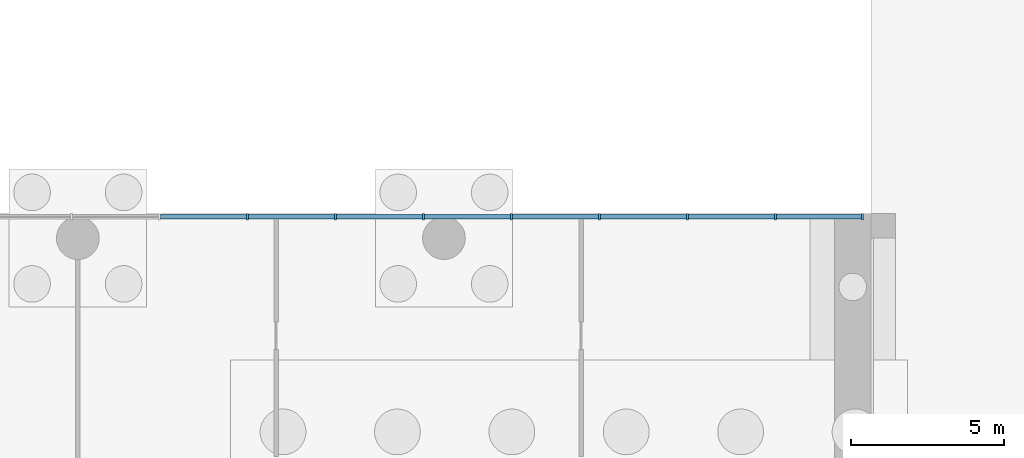
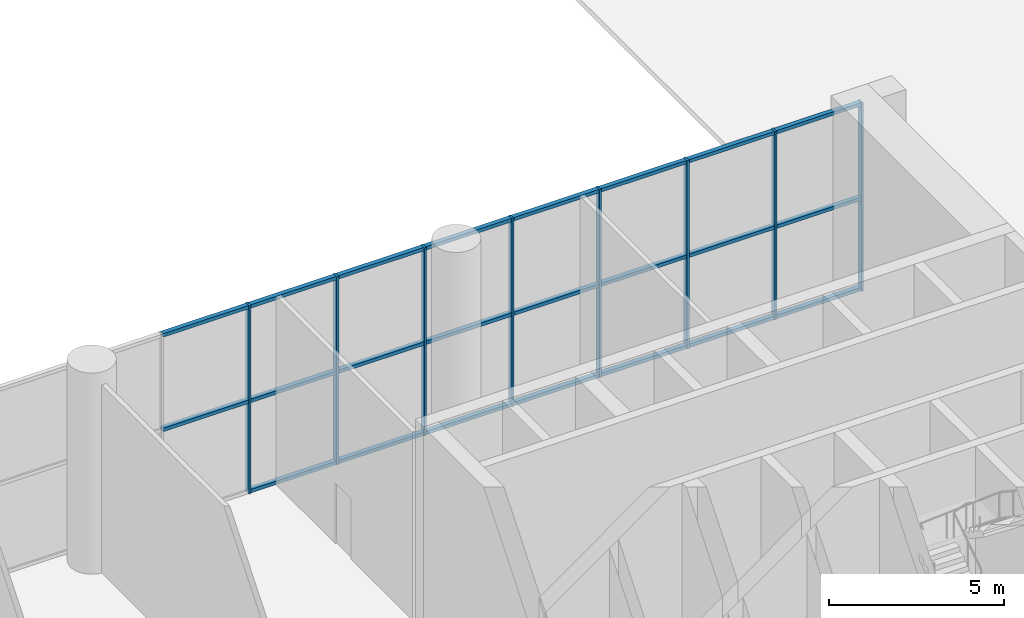
# One storey, part 8 of 26: 31 members, 1 element without a shape of its own.
"""IFC4 building model written with IfcOpenShell, lengths in metres."""

from ifc_helpers import new_model, si_unit, direction, frame, origin, origin_2d, place, context, subcontext, project, spatial, rectangle, extrude, material, layer, layer_set, material_profile, profile_set, type_object, element, aggregate, save


model = new_model("IFC4")

# Units and contexts
model_context = context("Model", 3, precision=1e-05, world=origin(), true_north=direction((0.0, 1.0)))
body_context = subcontext(model_context, "Body", "Model", "MODEL_VIEW")
ifc_project = project(units=[si_unit("LENGTHUNIT", "METRE"), si_unit("AREAUNIT", "SQUARE_METRE"), si_unit("VOLUMEUNIT", "CUBIC_METRE"), si_unit("PLANEANGLEUNIT", "RADIAN"), si_unit("MASSUNIT", "GRAM", prefix="KILO")], contexts=[model_context])

# Site, building, storey
site_placement = place(None, origin())
site = spatial("IfcSite", under=ifc_project, at=site_placement, CompositionType="ELEMENT")
building_placement = place(site_placement, origin())
building = spatial("IfcBuilding", under=site, at=building_placement, Name="Torana Hotel and Residences", CompositionType="ELEMENT")
storey_placement = place(building_placement, origin())
storey = spatial("IfcBuildingStorey", under=building, at=storey_placement, Name="L00", CompositionType="ELEMENT", Elevation=0.0)

# Curtain wall, members
ifc_material_1 = material(Name="Dark anodised aluminium", Category="aluminium")
ifc_layer = layer(ifc_material_1, 0.199951171875)
ifc_layer_set = layer_set([ifc_layer], Name="CW1 PODIUM SHOPFRONT CURTAIN WALL")
curtain_wall_type = type_object("IfcCurtainWallType", Name="CW1 PODIUM SHOPFRONT CURTAIN WALL", PredefinedType="NOTDEFINED", material=ifc_layer_set)
curtain_wall_placement = place(storey_placement, origin())
curtain_wall = element("IfcCurtainWall", 1, at=curtain_wall_placement, inside=storey, type_object=curtain_wall_type, Name="Curtain wall CW1 L00 e0.2-1", PredefinedType="NOTDEFINED")
ifc_material_2 = material(Name="Dark anodised aluminium", Category="aluminium")
ifc_material_profile_1 = material_profile(ifc_material_2, rectangle(XDim=0.199951171875, YDim=0.070068359375, at=origin_2d()), Name="CW1 MULLION 70x200")
ifc_profile_set_1 = profile_set([ifc_material_profile_1], Name="Dark anodised aluminium")
member_type_1 = type_object("IfcMemberType", Name="CW1 MULLION 70x200", PredefinedType="MULLION", material=ifc_profile_set_1)
member_1_placement = place(storey_placement, frame((-10.284912109375, 7.89990234375, 0.0), z_axis=(0.0, 0.0, 1.0), x_axis=(0.0, -1.0, 0.0)))
member_1 = element("IfcMember", 2, at=member_1_placement, type_object=member_type_1, Name="CW1 mullion 1", PredefinedType="MULLION", context=body_context, shape_type="SweptSolid", body=[
    extrude(rectangle(XDim=0.199951171875, YDim=0.070068359375, at=origin_2d()), origin(), (0.0, 0.0, 1.0), 6.550048828125),
])
member_2_placement = place(storey_placement, frame((-13.134033203125, 7.89990234375, 0.0), z_axis=(0.0, 0.0, 1.0), x_axis=(0.0, -1.0, 0.0)))
member_2 = element("IfcMember", 3, at=member_2_placement, type_object=member_type_1, Name="CW1 mullion 2", PredefinedType="MULLION", context=body_context, shape_type="SweptSolid", body=[
    extrude(rectangle(XDim=0.199951171875, YDim=0.070068359375, at=origin_2d()), origin(), (0.0, 0.0, 1.0), 6.550048828125),
])
member_3_placement = place(storey_placement, frame((-16.018310546875, 7.89990234375, 0.0), z_axis=(0.0, 0.0, 1.0), x_axis=(0.0, -1.0, 0.0)))
member_3 = element("IfcMember", 4, at=member_3_placement, type_object=member_type_1, Name="CW1 mullion 3", PredefinedType="MULLION", context=body_context, shape_type="SweptSolid", body=[
    extrude(rectangle(XDim=0.199951171875, YDim=0.070068359375, at=origin_2d()), origin(), (0.0, 0.0, 1.0), 6.550048828125),
])
member_4_placement = place(storey_placement, frame((-18.90234375, 7.89990234375, 0.0), z_axis=(0.0, 0.0, 1.0), x_axis=(0.0, -1.0, 0.0)))
member_4 = element("IfcMember", 5, at=member_4_placement, type_object=member_type_1, Name="CW1 mullion 4", PredefinedType="MULLION", context=body_context, shape_type="SweptSolid", body=[
    extrude(rectangle(XDim=0.199951171875, YDim=0.070068359375, at=origin_2d()), origin(), (0.0, 0.0, 1.0), 6.550048828125),
])
member_5_placement = place(storey_placement, frame((-21.78662109375, 7.89990234375, 0.0), z_axis=(0.0, 0.0, 1.0), x_axis=(0.0, -1.0, 0.0)))
member_5 = element("IfcMember", 6, at=member_5_placement, type_object=member_type_1, Name="CW1 mullion 5", PredefinedType="MULLION", context=body_context, shape_type="SweptSolid", body=[
    extrude(rectangle(XDim=0.199951171875, YDim=0.070068359375, at=origin_2d()), origin(), (0.0, 0.0, 1.0), 6.550048828125),
])
member_6_placement = place(storey_placement, frame((-24.670654296875, 7.89990234375, 0.0), z_axis=(0.0, 0.0, 1.0), x_axis=(0.0, -1.0, 0.0)))
member_6 = element("IfcMember", 7, at=member_6_placement, type_object=member_type_1, Name="CW1 mullion 6", PredefinedType="MULLION", context=body_context, shape_type="SweptSolid", body=[
    extrude(rectangle(XDim=0.199951171875, YDim=0.070068359375, at=origin_2d()), origin(), (0.0, 0.0, 1.0), 6.550048828125),
])
member_7_placement = place(storey_placement, frame((-27.5546875, 7.89990234375, 0.0), z_axis=(0.0, 0.0, 1.0), x_axis=(0.0, -1.0, 0.0)))
member_7 = element("IfcMember", 8, at=member_7_placement, type_object=member_type_1, Name="CW1 mullion 7", PredefinedType="MULLION", context=body_context, shape_type="SweptSolid", body=[
    extrude(rectangle(XDim=0.199951171875, YDim=0.070068359375, at=origin_2d()), origin(), (0.0, 0.0, 1.0), 6.550048828125),
])
member_8_placement = place(storey_placement, frame((-30.43896484375, 7.89990234375, 0.0), z_axis=(0.0, 0.0, 1.0), x_axis=(0.0, -1.0, 0.0)))
member_8 = element("IfcMember", 9, at=member_8_placement, type_object=member_type_1, Name="CW1 mullion 8", PredefinedType="MULLION", context=body_context, shape_type="SweptSolid", body=[
    extrude(rectangle(XDim=0.199951171875, YDim=0.070068359375, at=origin_2d()), origin(), (0.0, 0.0, 1.0), 6.550048828125),
])
ifc_material_3 = material(Name="Dark anodised aluminium", Category="aluminium")
ifc_material_profile_2 = material_profile(ifc_material_3, rectangle(XDim=0.14990234375, YDim=0.1201171875, at=origin_2d()), Name="CW1 TRANSOM 150x120")
ifc_profile_set_2 = profile_set([ifc_material_profile_2], Name="Dark anodised aluminium")
member_type_2 = type_object("IfcMemberType", Name="CW1 TRANSOM 150x120", PredefinedType="USERDEFINED", material=ifc_profile_set_2)
member_9_placement = place(storey_placement, frame((-10.320068359375, 7.89990234375, 0.06005859375), z_axis=(-1.0, 0.0, 0.0), x_axis=(0.0, -1.0, 0.0)))
member_9 = element("IfcMember", 10, at=member_9_placement, type_object=member_type_2, Name="CW1 transom 1.1", ObjectType="TRANSOM", PredefinedType="USERDEFINED", context=body_context, shape_type="SweptSolid", body=[
    extrude(rectangle(XDim=0.14990234375, YDim=0.1201171875, at=origin_2d()), origin(), (0.0, 0.0, 1.0), 2.779052734375),
])
member_10_placement = place(storey_placement, frame((-10.320068359375, 7.89990234375, 3.199951171875), z_axis=(-1.0, 0.0, 0.0), x_axis=(0.0, -1.0, 0.0)))
member_10 = element("IfcMember", 11, at=member_10_placement, type_object=member_type_2, Name="CW1 transom 1.2", ObjectType="TRANSOM", PredefinedType="USERDEFINED", context=body_context, shape_type="SweptSolid", body=[
    extrude(rectangle(XDim=0.14990234375, YDim=0.1201171875, at=origin_2d()), origin(), (0.0, 0.0, 1.0), 2.779052734375),
])
member_11_placement = place(storey_placement, frame((-10.320068359375, 7.89990234375, 6.489990234375), z_axis=(-1.0, 0.0, 0.0), x_axis=(0.0, -1.0, 0.0)))
member_11 = element("IfcMember", 12, at=member_11_placement, type_object=member_type_2, Name="CW1 transom 1.3", ObjectType="TRANSOM", PredefinedType="USERDEFINED", context=body_context, shape_type="SweptSolid", body=[
    extrude(rectangle(XDim=0.14990234375, YDim=0.1201171875, at=origin_2d()), origin(), (0.0, 0.0, 1.0), 2.779052734375),
])
member_12_placement = place(storey_placement, frame((-13.169189453125, 7.89990234375, 0.06005859375), z_axis=(-1.0, 0.0, 0.0), x_axis=(0.0, -1.0, 0.0)))
member_12 = element("IfcMember", 13, at=member_12_placement, type_object=member_type_2, Name="CW1 transom 2.1", ObjectType="TRANSOM", PredefinedType="USERDEFINED", context=body_context, shape_type="SweptSolid", body=[
    extrude(rectangle(XDim=0.14990234375, YDim=0.1201171875, at=origin_2d()), origin(), (0.0, 0.0, 1.0), 2.81396484375),
])
member_13_placement = place(storey_placement, frame((-13.169189453125, 7.89990234375, 3.199951171875), z_axis=(-1.0, 0.0, 0.0), x_axis=(0.0, -1.0, 0.0)))
member_13 = element("IfcMember", 14, at=member_13_placement, type_object=member_type_2, Name="CW1 transom 2.2", ObjectType="TRANSOM", PredefinedType="USERDEFINED", context=body_context, shape_type="SweptSolid", body=[
    extrude(rectangle(XDim=0.14990234375, YDim=0.1201171875, at=origin_2d()), origin(), (0.0, 0.0, 1.0), 2.81396484375),
])
member_14_placement = place(storey_placement, frame((-13.169189453125, 7.89990234375, 6.489990234375), z_axis=(-1.0, 0.0, 0.0), x_axis=(0.0, -1.0, 0.0)))
member_14 = element("IfcMember", 15, at=member_14_placement, type_object=member_type_2, Name="CW1 transom 2.3", ObjectType="TRANSOM", PredefinedType="USERDEFINED", context=body_context, shape_type="SweptSolid", body=[
    extrude(rectangle(XDim=0.14990234375, YDim=0.1201171875, at=origin_2d()), origin(), (0.0, 0.0, 1.0), 2.81396484375),
])
member_15_placement = place(storey_placement, frame((-16.05322265625, 7.89990234375, 0.06005859375), z_axis=(-1.0, 0.0, 0.0), x_axis=(0.0, -1.0, 0.0)))
member_15 = element("IfcMember", 16, at=member_15_placement, type_object=member_type_2, Name="CW1 transom 3.1", ObjectType="TRANSOM", PredefinedType="USERDEFINED", context=body_context, shape_type="SweptSolid", body=[
    extrude(rectangle(XDim=0.14990234375, YDim=0.1201171875, at=origin_2d()), origin(), (0.0, 0.0, 1.0), 2.814208984375),
])
member_16_placement = place(storey_placement, frame((-16.05322265625, 7.89990234375, 3.199951171875), z_axis=(-1.0, 0.0, 0.0), x_axis=(0.0, -1.0, 0.0)))
member_16 = element("IfcMember", 17, at=member_16_placement, type_object=member_type_2, Name="CW1 transom 3.2", ObjectType="TRANSOM", PredefinedType="USERDEFINED", context=body_context, shape_type="SweptSolid", body=[
    extrude(rectangle(XDim=0.14990234375, YDim=0.1201171875, at=origin_2d()), origin(), (0.0, 0.0, 1.0), 2.814208984375),
])
member_17_placement = place(storey_placement, frame((-16.05322265625, 7.89990234375, 6.489990234375), z_axis=(-1.0, 0.0, 0.0), x_axis=(0.0, -1.0, 0.0)))
member_17 = element("IfcMember", 18, at=member_17_placement, type_object=member_type_2, Name="CW1 transom 3.3", ObjectType="TRANSOM", PredefinedType="USERDEFINED", context=body_context, shape_type="SweptSolid", body=[
    extrude(rectangle(XDim=0.14990234375, YDim=0.1201171875, at=origin_2d()), origin(), (0.0, 0.0, 1.0), 2.814208984375),
])
member_18_placement = place(storey_placement, frame((-18.9375, 7.89990234375, 0.06005859375), z_axis=(-1.0, 0.0, 0.0), x_axis=(0.0, -1.0, 0.0)))
member_18 = element("IfcMember", 19, at=member_18_placement, type_object=member_type_2, Name="CW1 transom 4.1", ObjectType="TRANSOM", PredefinedType="USERDEFINED", context=body_context, shape_type="SweptSolid", body=[
    extrude(rectangle(XDim=0.14990234375, YDim=0.1201171875, at=origin_2d()), origin(), (0.0, 0.0, 1.0), 2.81396484375),
])
member_19_placement = place(storey_placement, frame((-18.9375, 7.89990234375, 3.199951171875), z_axis=(-1.0, 0.0, 0.0), x_axis=(0.0, -1.0, 0.0)))
member_19 = element("IfcMember", 20, at=member_19_placement, type_object=member_type_2, Name="CW1 transom 4.2", ObjectType="TRANSOM", PredefinedType="USERDEFINED", context=body_context, shape_type="SweptSolid", body=[
    extrude(rectangle(XDim=0.14990234375, YDim=0.1201171875, at=origin_2d()), origin(), (0.0, 0.0, 1.0), 2.81396484375),
])
member_20_placement = place(storey_placement, frame((-18.9375, 7.89990234375, 6.489990234375), z_axis=(-1.0, 0.0, 0.0), x_axis=(0.0, -1.0, 0.0)))
member_20 = element("IfcMember", 21, at=member_20_placement, type_object=member_type_2, Name="CW1 transom 4.3", ObjectType="TRANSOM", PredefinedType="USERDEFINED", context=body_context, shape_type="SweptSolid", body=[
    extrude(rectangle(XDim=0.14990234375, YDim=0.1201171875, at=origin_2d()), origin(), (0.0, 0.0, 1.0), 2.81396484375),
])
member_21_placement = place(storey_placement, frame((-21.821533203125, 7.89990234375, 0.06005859375), z_axis=(-1.0, 0.0, 0.0), x_axis=(0.0, -1.0, 0.0)))
member_21 = element("IfcMember", 22, at=member_21_placement, type_object=member_type_2, Name="CW1 transom 5.1", ObjectType="TRANSOM", PredefinedType="USERDEFINED", context=body_context, shape_type="SweptSolid", body=[
    extrude(rectangle(XDim=0.14990234375, YDim=0.1201171875, at=origin_2d()), origin(), (0.0, 0.0, 1.0), 2.814208984375),
])
member_22_placement = place(storey_placement, frame((-21.821533203125, 7.89990234375, 3.199951171875), z_axis=(-1.0, 0.0, 0.0), x_axis=(0.0, -1.0, 0.0)))
member_22 = element("IfcMember", 23, at=member_22_placement, type_object=member_type_2, Name="CW1 transom 5.2", ObjectType="TRANSOM", PredefinedType="USERDEFINED", context=body_context, shape_type="SweptSolid", body=[
    extrude(rectangle(XDim=0.14990234375, YDim=0.1201171875, at=origin_2d()), origin(), (0.0, 0.0, 1.0), 2.814208984375),
])
member_23_placement = place(storey_placement, frame((-21.821533203125, 7.89990234375, 6.489990234375), z_axis=(-1.0, 0.0, 0.0), x_axis=(0.0, -1.0, 0.0)))
member_23 = element("IfcMember", 24, at=member_23_placement, type_object=member_type_2, Name="CW1 transom 5.3", ObjectType="TRANSOM", PredefinedType="USERDEFINED", context=body_context, shape_type="SweptSolid", body=[
    extrude(rectangle(XDim=0.14990234375, YDim=0.1201171875, at=origin_2d()), origin(), (0.0, 0.0, 1.0), 2.814208984375),
])
member_24_placement = place(storey_placement, frame((-24.70556640625, 7.89990234375, 0.06005859375), z_axis=(-1.0, 0.0, 0.0), x_axis=(0.0, -1.0, 0.0)))
member_24 = element("IfcMember", 25, at=member_24_placement, type_object=member_type_2, Name="CW1 transom 6.1", ObjectType="TRANSOM", PredefinedType="USERDEFINED", context=body_context, shape_type="SweptSolid", body=[
    extrude(rectangle(XDim=0.14990234375, YDim=0.1201171875, at=origin_2d()), origin(), (0.0, 0.0, 1.0), 2.814208984375),
])
member_25_placement = place(storey_placement, frame((-24.70556640625, 7.89990234375, 3.199951171875), z_axis=(-1.0, 0.0, 0.0), x_axis=(0.0, -1.0, 0.0)))
member_25 = element("IfcMember", 26, at=member_25_placement, type_object=member_type_2, Name="CW1 transom 6.2", ObjectType="TRANSOM", PredefinedType="USERDEFINED", context=body_context, shape_type="SweptSolid", body=[
    extrude(rectangle(XDim=0.14990234375, YDim=0.1201171875, at=origin_2d()), origin(), (0.0, 0.0, 1.0), 2.814208984375),
])
member_26_placement = place(storey_placement, frame((-24.70556640625, 7.89990234375, 6.489990234375), z_axis=(-1.0, 0.0, 0.0), x_axis=(0.0, -1.0, 0.0)))
member_26 = element("IfcMember", 27, at=member_26_placement, type_object=member_type_2, Name="CW1 transom 6.3", ObjectType="TRANSOM", PredefinedType="USERDEFINED", context=body_context, shape_type="SweptSolid", body=[
    extrude(rectangle(XDim=0.14990234375, YDim=0.1201171875, at=origin_2d()), origin(), (0.0, 0.0, 1.0), 2.814208984375),
])
member_27_placement = place(storey_placement, frame((-27.58984375, 7.89990234375, 0.06005859375), z_axis=(-1.0, 0.0, 0.0), x_axis=(0.0, -1.0, 0.0)))
member_27 = element("IfcMember", 28, at=member_27_placement, type_object=member_type_2, Name="CW1 transom 7.1", ObjectType="TRANSOM", PredefinedType="USERDEFINED", context=body_context, shape_type="SweptSolid", body=[
    extrude(rectangle(XDim=0.14990234375, YDim=0.1201171875, at=origin_2d()), origin(), (0.0, 0.0, 1.0), 2.81396484375),
])
member_28_placement = place(storey_placement, frame((-27.58984375, 7.89990234375, 3.199951171875), z_axis=(-1.0, 0.0, 0.0), x_axis=(0.0, -1.0, 0.0)))
member_28 = element("IfcMember", 29, at=member_28_placement, type_object=member_type_2, Name="CW1 transom 7.2", ObjectType="TRANSOM", PredefinedType="USERDEFINED", context=body_context, shape_type="SweptSolid", body=[
    extrude(rectangle(XDim=0.14990234375, YDim=0.1201171875, at=origin_2d()), origin(), (0.0, 0.0, 1.0), 2.81396484375),
])
member_29_placement = place(storey_placement, frame((-27.58984375, 7.89990234375, 6.489990234375), z_axis=(-1.0, 0.0, 0.0), x_axis=(0.0, -1.0, 0.0)))
member_29 = element("IfcMember", 30, at=member_29_placement, type_object=member_type_2, Name="CW1 transom 7.3", ObjectType="TRANSOM", PredefinedType="USERDEFINED", context=body_context, shape_type="SweptSolid", body=[
    extrude(rectangle(XDim=0.14990234375, YDim=0.1201171875, at=origin_2d()), origin(), (0.0, 0.0, 1.0), 2.81396484375),
])
member_30_placement = place(storey_placement, frame((-30.473876953125, 7.89990234375, 3.199951171875), z_axis=(-1.0, 0.0, 0.0), x_axis=(0.0, -1.0, 0.0)))
member_30 = element("IfcMember", 31, at=member_30_placement, type_object=member_type_2, Name="CW1 transom 8.2", ObjectType="TRANSOM", PredefinedType="USERDEFINED", context=body_context, shape_type="SweptSolid", body=[
    extrude(rectangle(XDim=0.14990234375, YDim=0.1201171875, at=origin_2d()), origin(), (0.0, 0.0, 1.0), 2.814208984375),
])
member_31_placement = place(storey_placement, frame((-30.473876953125, 7.89990234375, 6.489990234375), z_axis=(-1.0, 0.0, 0.0), x_axis=(0.0, -1.0, 0.0)))
member_31 = element("IfcMember", 32, at=member_31_placement, type_object=member_type_2, Name="CW1 transom 8.3", ObjectType="TRANSOM", PredefinedType="USERDEFINED", context=body_context, shape_type="SweptSolid", body=[
    extrude(rectangle(XDim=0.14990234375, YDim=0.1201171875, at=origin_2d()), origin(), (0.0, 0.0, 1.0), 2.814208984375),
])
aggregate(curtain_wall, [member_1, member_2, member_3, member_4, member_5, member_6, member_7, member_8, member_9, member_10, member_11, member_12, member_13, member_14, member_15, member_16, member_17, member_18, member_19, member_20, member_21, member_22, member_23, member_24, member_25, member_26, member_27, member_28, member_29, member_30, member_31])

save(model, "model.ifc")
